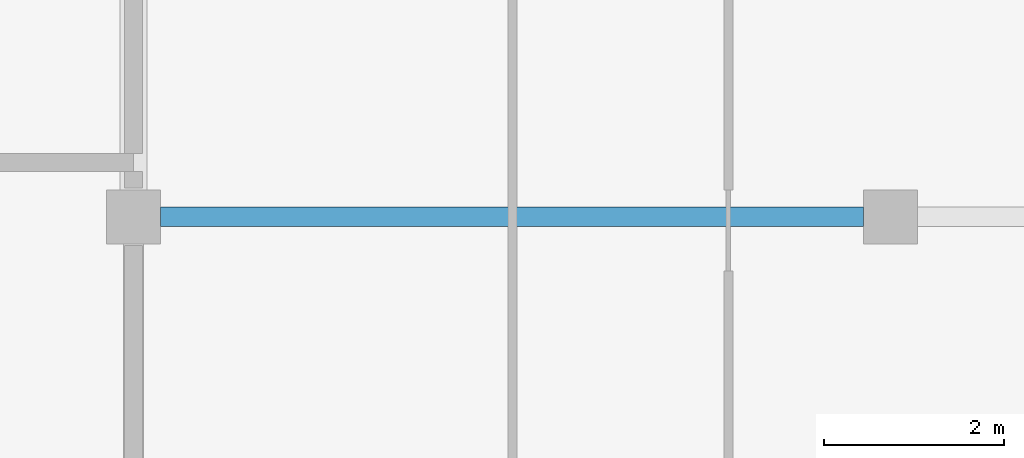
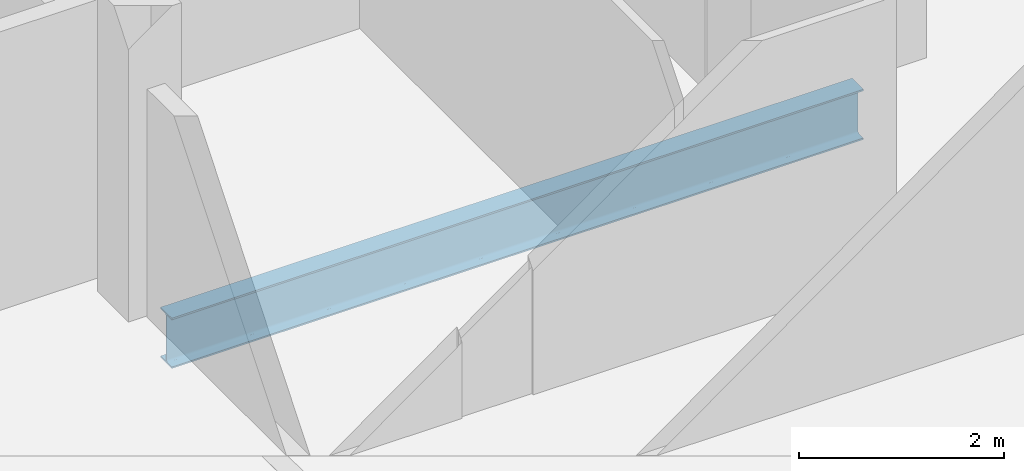
# One storey, part 3 of 31: 1 beam.
"""IFC4 building model written with IfcOpenShell, lengths in metres."""

from ifc_helpers import new_model, si_unit, direction, frame, origin, origin_2d, place, context, subcontext, project, spatial, i_section, extrude, material, material_profile, profile_set, type_object, element, save


model = new_model("IFC4")

# Units and contexts
model_context = context("Model", 3, precision=1e-05, world=origin(), true_north=direction((0.0, 1.0)))
body_context = subcontext(model_context, "Body", "Model", "MODEL_VIEW")
ifc_project = project(units=[si_unit("LENGTHUNIT", "METRE"), si_unit("AREAUNIT", "SQUARE_METRE"), si_unit("VOLUMEUNIT", "CUBIC_METRE"), si_unit("PLANEANGLEUNIT", "RADIAN"), si_unit("MASSUNIT", "GRAM", prefix="KILO")], contexts=[model_context])

# Site, building, storey
site_placement = place(None, origin())
site = spatial("IfcSite", under=ifc_project, at=site_placement, CompositionType="ELEMENT")
building_placement = place(site_placement, origin())
building = spatial("IfcBuilding", under=site, at=building_placement, Name="Saffron Gate Tower", CompositionType="ELEMENT")
storey_placement = place(building_placement, frame((0.0, 0.0, 205.5)))
storey = spatial("IfcBuildingStorey", under=building, at=storey_placement, Name="L49", CompositionType="ELEMENT", Elevation=205.5)

# Beam
ifc_material = material(Name="Structural steel S355", Category="steel")
ifc_material_profile = material_profile(ifc_material, i_section(OverallWidth=0.219970703125, OverallDepth=0.60009765625, WebThickness=0.011962890625, FlangeThickness=0.01904296875, FilletRadius=0.02392578125, at=origin_2d()))
ifc_profile_set = profile_set([ifc_material_profile], Name="Structural steel S355")
beam_type = type_object("IfcBeamType", Name="B15 IPE 600", PredefinedType="BEAM", material=ifc_profile_set)
beam_placement = place(storey_placement, frame((75.300048828125, 40.199951171875, -0.580078125), z_axis=(1.0, 0.0, 0.0), x_axis=(0.0, 1.0, 0.0)))
element("IfcBeam", 1, at=beam_placement, inside=storey, type_object=beam_type, Name="B15 FLOOR GIRDER", PredefinedType="BEAM", context=body_context, shape_type="SweptSolid", body=[
    extrude(i_section(OverallWidth=0.219970703125, OverallDepth=0.60009765625, WebThickness=0.011962890625, FlangeThickness=0.01904296875, FilletRadius=0.02392578125, at=origin_2d()), origin(), (0.0, 0.0, 1.0), 7.800048828125),
])

save(model, "model.ifc")
